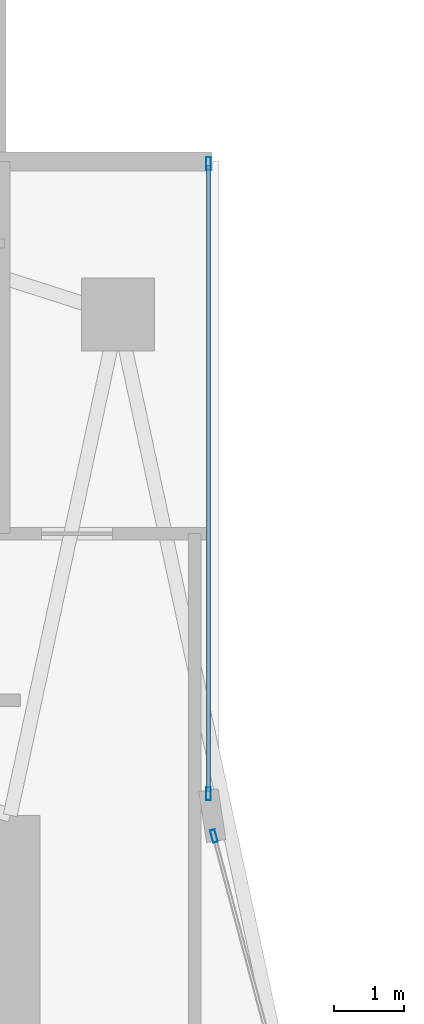
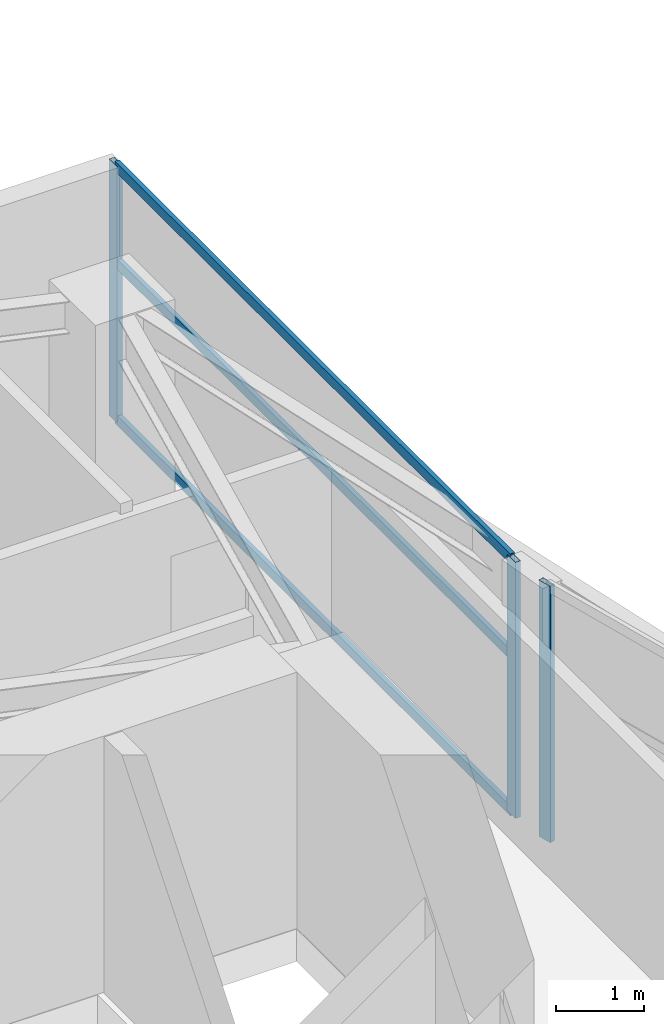
# One storey, part 20 of 30: 6 members, 2 elements without a shape of their own.
"""IFC4 building model written with IfcOpenShell, lengths in metres."""

from ifc_helpers import new_model, si_unit, direction, frame, origin, origin_2d, place, context, subcontext, project, spatial, hollow_rectangle, extrude, material, layer, layer_set, material_profile, profile_set, type_object, element, aggregate, save


model = new_model("IFC4")

# Units and contexts
model_context = context("Model", 3, precision=1e-05, world=origin(), true_north=direction((0.0, 1.0)))
body_context = subcontext(model_context, "Body", "Model", "MODEL_VIEW")
ifc_project = project(units=[si_unit("LENGTHUNIT", "METRE"), si_unit("AREAUNIT", "SQUARE_METRE"), si_unit("VOLUMEUNIT", "CUBIC_METRE"), si_unit("PLANEANGLEUNIT", "RADIAN"), si_unit("MASSUNIT", "GRAM", prefix="KILO")], contexts=[model_context])

# Site, building, storey
site_placement = place(None, origin())
site = spatial("IfcSite", under=ifc_project, at=site_placement, CompositionType="ELEMENT")
building_placement = place(site_placement, origin())
building = spatial("IfcBuilding", under=site, at=building_placement, Name="Calvorn Quay Hotel", CompositionType="ELEMENT")
storey_placement = place(building_placement, frame((0.0, 0.0, 191.300048828125)))
storey = spatial("IfcBuildingStorey", under=building, at=storey_placement, Name="L47", CompositionType="ELEMENT", Elevation=191.300048828125)

# Curtain wall, member
ifc_material_1 = material(Name="Champagne Bronze Anodised Aluminium and Low-E Glass", Category="aluminium")
ifc_layer = layer(ifc_material_1, 0.219970703125)
ifc_layer_set = layer_set([ifc_layer], Name="CW-SYS-Z3")
curtain_wall_type = type_object("IfcCurtainWallType", Name="CW-SYS-Z3", PredefinedType="NOTDEFINED", material=ifc_layer_set)
curtain_wall_1_placement = place(storey_placement, origin())
curtain_wall_1 = element("IfcCurtainWall", 1, at=curtain_wall_1_placement, inside=storey, type_object=curtain_wall_type, Name="Inner Court Curtain Wall L47-IC1", PredefinedType="NOTDEFINED")
ifc_material_2 = material(Name="Champagne Bronze Anodised Aluminium 6063-T6", Category="aluminium")
ifc_material_profile_1 = material_profile(ifc_material_2, hollow_rectangle(XDim=0.068115234375, YDim=0.18505859375, WallThickness=0.00390625, at=origin_2d()), Name="ALU-M185x68x4")
ifc_profile_set_1 = profile_set([ifc_material_profile_1], Name="Champagne Bronze Anodised Aluminium 6063-T6")
member_type_1 = type_object("IfcMemberType", Name="CW-SYS-Z3-MUL", PredefinedType="MULLION", material=ifc_profile_set_1)
member_1_placement = place(storey_placement, frame((17.9296875, 38.10107421875, 0.0), z_axis=(0.0, 0.0, 1.0), x_axis=(-0.96593652056, -0.25877913024, 0.0)))
member_1 = element("IfcMember", 2, at=member_1_placement, type_object=member_type_1, Name="CW-L47-IC1 mullion 2", PredefinedType="MULLION", context=body_context, shape_type="SweptSolid", body=[
    extrude(hollow_rectangle(XDim=0.068115234375, YDim=0.18505859375, WallThickness=0.00390625, at=origin_2d()), origin(), (0.0, 0.0, 1.0), 3.56005859375),
])
aggregate(curtain_wall_1, [member_1])

# Curtain wall, members
curtain_wall_2_placement = place(storey_placement, origin())
curtain_wall_2 = element("IfcCurtainWall", 3, at=curtain_wall_2_placement, inside=storey, type_object=curtain_wall_type, Name="Inner Court Curtain Wall L47-IC2", PredefinedType="NOTDEFINED")
member_2_placement = place(storey_placement, frame((17.85009765625, 38.7099609375, 0.0), z_axis=(0.0, 0.0, 1.0), x_axis=(-1.0, 0.0, 0.0)))
member_2 = element("IfcMember", 4, at=member_2_placement, type_object=member_type_1, Name="CW-L47-IC2 mullion 1", PredefinedType="MULLION", context=body_context, shape_type="SweptSolid", body=[
    extrude(hollow_rectangle(XDim=0.068115234375, YDim=0.18505859375, WallThickness=0.00390625, at=origin_2d()), origin(), (0.0, 0.0, 1.0), 3.56005859375),
])
member_3_placement = place(storey_placement, frame((17.85009765625, 47.77001953125, 0.0), z_axis=(0.0, 0.0, 1.0), x_axis=(-1.0, 0.0, 0.0)))
member_3 = element("IfcMember", 5, at=member_3_placement, type_object=member_type_1, Name="CW-L47-IC2 mullion 2", PredefinedType="MULLION", context=body_context, shape_type="SweptSolid", body=[
    extrude(hollow_rectangle(XDim=0.068115234375, YDim=0.18505859375, WallThickness=0.00390625, at=origin_2d()), origin(), (0.0, 0.0, 1.0), 3.56005859375),
])
ifc_material_3 = material(Name="Champagne Bronze Anodised Aluminium 6063-T6", Category="aluminium")
ifc_material_profile_2 = material_profile(ifc_material_3, hollow_rectangle(XDim=0.05810546875, YDim=0.139892578125, WallThickness=0.003173828125, at=origin_2d()), Name="ALU-T140x58x3.2")
ifc_profile_set_2 = profile_set([ifc_material_profile_2], Name="Champagne Bronze Anodised Aluminium 6063-T6")
member_type_2 = type_object("IfcMemberType", Name="CW-SYS-Z3-TRN", PredefinedType="USERDEFINED", material=ifc_profile_set_2)
member_4_placement = place(storey_placement, frame((17.85009765625, 38.739990234375, 0.030029296875), z_axis=(0.0, 1.0, 0.0), x_axis=(-1.0, 0.0, 0.0)))
member_4 = element("IfcMember", 6, at=member_4_placement, type_object=member_type_2, Name="CW-L47-IC2 transom 1.1", ObjectType="TRANSOM", PredefinedType="USERDEFINED", context=body_context, shape_type="SweptSolid", body=[
    extrude(hollow_rectangle(XDim=0.05810546875, YDim=0.139892578125, WallThickness=0.003173828125, at=origin_2d()), origin(), (0.0, 0.0, 1.0), 9.0),
])
member_5_placement = place(storey_placement, frame((17.85009765625, 38.739990234375, 2.199951171875), z_axis=(0.0, 1.0, 0.0), x_axis=(-1.0, 0.0, 0.0)))
member_5 = element("IfcMember", 7, at=member_5_placement, type_object=member_type_2, Name="CW-L47-IC2 transom 1.2", ObjectType="TRANSOM", PredefinedType="USERDEFINED", context=body_context, shape_type="SweptSolid", body=[
    extrude(hollow_rectangle(XDim=0.05810546875, YDim=0.139892578125, WallThickness=0.003173828125, at=origin_2d()), origin(), (0.0, 0.0, 1.0), 9.0),
])
member_6_placement = place(storey_placement, frame((17.85009765625, 38.739990234375, 3.530029296875), z_axis=(0.0, 1.0, 0.0), x_axis=(-1.0, 0.0, 0.0)))
member_6 = element("IfcMember", 8, at=member_6_placement, type_object=member_type_2, Name="CW-L47-IC2 transom 1.3", ObjectType="TRANSOM", PredefinedType="USERDEFINED", context=body_context, shape_type="SweptSolid", body=[
    extrude(hollow_rectangle(XDim=0.05810546875, YDim=0.139892578125, WallThickness=0.003173828125, at=origin_2d()), origin(), (0.0, 0.0, 1.0), 9.0),
])
aggregate(curtain_wall_2, [member_2, member_3, member_4, member_5, member_6])

save(model, "model.ifc")
